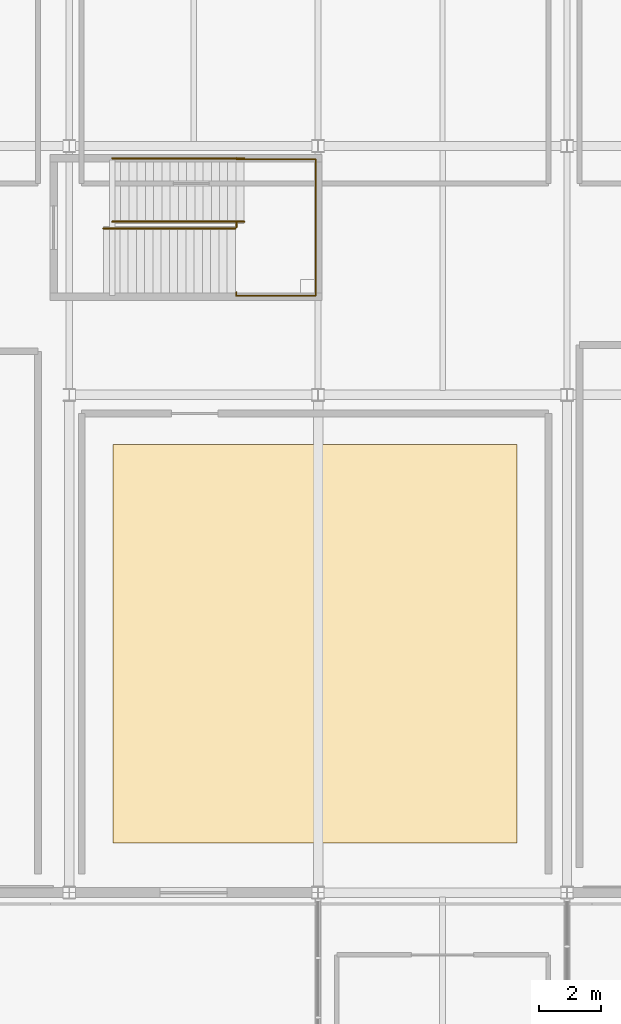
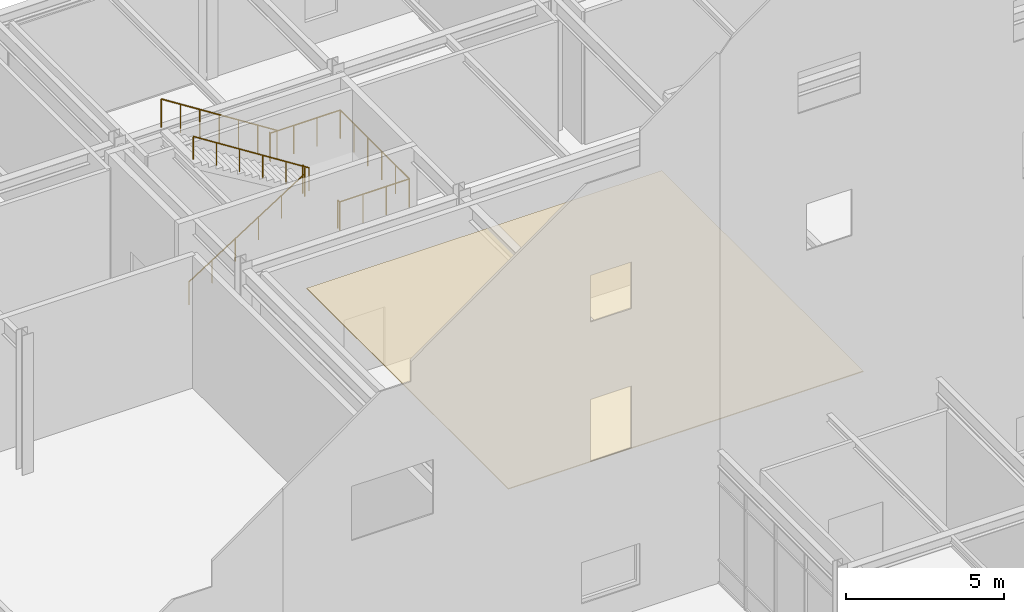
# One storey, part 112 of 119: 5 railings, 1 covering.
"""IFC4 building model written with IfcOpenShell, lengths in metres."""

from ifc_helpers import new_model, si_unit, direction, frame, origin, origin_2d, place, context, subcontext, project, spatial, rectangle, circle, extrude, material, layer, layer_set, type_object, element, save


model = new_model("IFC4")

# Units and contexts
model_context = context("Model", 3, precision=1e-05, world=origin(), true_north=direction((0.0, 1.0)))
body_context = subcontext(model_context, "Body", "Model", "MODEL_VIEW")
ifc_project = project(units=[si_unit("LENGTHUNIT", "METRE"), si_unit("AREAUNIT", "SQUARE_METRE"), si_unit("VOLUMEUNIT", "CUBIC_METRE"), si_unit("PLANEANGLEUNIT", "RADIAN"), si_unit("MASSUNIT", "GRAM", prefix="KILO")], contexts=[model_context])

# Site, building, storey
site_placement = place(None, origin())
site = spatial("IfcSite", under=ifc_project, at=site_placement, CompositionType="ELEMENT")
building_placement = place(site_placement, origin())
building = spatial("IfcBuilding", under=site, at=building_placement, Name="Zhaolan Boulevard Law Courts", CompositionType="ELEMENT")
storey_placement = place(building_placement, origin())
storey = spatial("IfcBuildingStorey", under=building, at=storey_placement, Name="L00", CompositionType="ELEMENT", Elevation=0.0)

# Covering
ifc_material_1 = material(Name="Perforated acoustic gypsum and timber-slat ceiling", Category="wood")
ifc_layer = layer(ifc_material_1, 0.034912109375)
ifc_layer_set = layer_set([ifc_layer])
covering_type = type_object("IfcCoveringType", Name="ACOUSTIC CEILING 35", PredefinedType="CEILING", material=ifc_layer_set)
covering_placement = place(storey_placement, frame((115.89990234375, 70.0, 4.71240234375), z_axis=(0.0, 0.0, 1.0), x_axis=(1.0, 0.0, 0.0)))
element("IfcCovering", 1, at=covering_placement, inside=storey, type_object=covering_type, Name="Acoustic Baffle Ceiling CLG-02", PredefinedType="CEILING", context=body_context, shape_type="SweptSolid", body=[
    extrude(rectangle(XDim=13.0, YDim=12.800048828125, at=origin_2d()), origin(), (0.0, 0.0, 1.0), 0.034912109375),
])

# Railings
ifc_material_2 = material(Name="Brushed stainless steel tubular handrail", Category="steel")
railing_type_1 = type_object("IfcRailingType", Name="STAIR HANDRAIL 900", PredefinedType="HANDRAIL", material=ifc_material_2)
railing_1_placement = place(storey_placement, frame((109.10009765625, 83.35009765625, 0.0)))
element("IfcRailing", 2, at=railing_1_placement, inside=storey, type_object=railing_type_1, Name="Stair Handrail HR-ST13-L00-1", PredefinedType="HANDRAIL", context=body_context, shape_type="SweptSolid", body=[
    extrude(circle(Radius=0.0224609375, at=origin_2d()), frame((0.0, 0.0, 0.87744140625), z_axis=(0.843501457581, 0.0, 0.537126885437), x_axis=(0.0, 1.0, 0.0)), (0.0, 0.0, 1.0), 5.026611328125),
    extrude(circle(Radius=0.01904296875, at=origin_2d()), origin(), (0.0, 0.0, 1.0), 0.85498046875),
    extrude(circle(Radius=0.01904296875, at=origin_2d()), frame((0.847900390625, 0.0, 0.5400390625)), (0.0, 0.0, 1.0), 0.85498046875),
    extrude(circle(Radius=0.01904296875, at=origin_2d()), frame((1.696044921875, 0.0, 1.080078125)), (0.0, 0.0, 1.0), 0.85498046875),
    extrude(circle(Radius=0.01904296875, at=origin_2d()), frame((2.5439453125, 0.0, 1.619873046875)), (0.0, 0.0, 1.0), 0.85498046875),
    extrude(circle(Radius=0.01904296875, at=origin_2d()), frame((3.39208984375, 0.0, 2.159912109375)), (0.0, 0.0, 1.0), 0.85498046875),
    extrude(circle(Radius=0.01904296875, at=origin_2d()), frame((4.239990234375, 0.0, 2.699951171875)), (0.0, 0.0, 1.0), 0.85498046875),
])
railing_2_placement = place(storey_placement, frame((113.625, 83.570068359375, 2.699951171875)))
element("IfcRailing", 3, at=railing_2_placement, inside=storey, type_object=railing_type_1, Name="Stair Handrail HR-ST13-L00-2", PredefinedType="HANDRAIL", context=body_context, shape_type="SweptSolid", body=[
    extrude(circle(Radius=0.0224609375, at=origin_2d()), frame((0.0, 0.0, 0.87744140625), z_axis=(-0.843501457581, 0.0, 0.537126885437), x_axis=(0.0, -1.0, 0.0)), (0.0, 0.0, 1.0), 5.026611328125),
    extrude(circle(Radius=0.01904296875, at=origin_2d()), origin(), (0.0, 0.0, 1.0), 0.85498046875),
    extrude(circle(Radius=0.01904296875, at=origin_2d()), frame((-0.847900390625, 0.0, 0.5400390625)), (0.0, 0.0, 1.0), 0.85498046875),
    extrude(circle(Radius=0.01904296875, at=origin_2d()), frame((-1.696044921875, 0.0, 1.080078125)), (0.0, 0.0, 1.0), 0.85498046875),
    extrude(circle(Radius=0.01904296875, at=origin_2d()), frame((-2.5439453125, 0.0, 1.619873046875)), (0.0, 0.0, 1.0), 0.85498046875),
    extrude(circle(Radius=0.01904296875, at=origin_2d()), frame((-3.39208984375, 0.0, 2.159912109375)), (0.0, 0.0, 1.0), 0.85498046875),
    extrude(circle(Radius=0.01904296875, at=origin_2d()), frame((-4.239990234375, 0.0, 2.699951171875)), (0.0, 0.0, 1.0), 0.85498046875),
])
ifc_material_3 = material(Name="Powder-coated steel baluster guardrail", Category="steel")
railing_type_2 = type_object("IfcRailingType", Name="STAIR WELL GUARDRAIL 1120", PredefinedType="GUARDRAIL", material=ifc_material_3)
railing_3_placement = place(storey_placement, frame((113.3701171875, 81.300048828125, 2.699951171875)))
element("IfcRailing", 4, at=railing_3_placement, inside=storey, type_object=railing_type_2, Name="Half-Landing Guardrail SG-ST13-L00-M", PredefinedType="GUARDRAIL", context=body_context, shape_type="SweptSolid", body=[
    extrude(circle(Radius=0.02392578125, at=origin_2d()), frame((0.0, 0.0, 1.09619140625), z_axis=(0.0, -1.0, 0.0), x_axis=(1.0, 0.0, 0.0)), (0.0, 0.0, 1.0), 0.1201171875),
    extrude(circle(Radius=0.02392578125, at=origin_2d()), frame((0.0, -0.1201171875, 1.09619140625), z_axis=(1.0, 0.0, 0.0), x_axis=(0.0, 1.0, 0.0)), (0.0, 0.0, 1.0), 2.5498046875),
    extrude(circle(Radius=0.02392578125, at=origin_2d()), frame((2.5498046875, -0.1201171875, 1.09619140625), z_axis=(0.0, 1.0, 0.0), x_axis=(-1.0, 0.0, 0.0)), (0.0, 0.0, 1.0), 4.39013671875),
    extrude(circle(Radius=0.02392578125, at=origin_2d()), frame((2.5498046875, 4.27001953125, 1.09619140625), z_axis=(-1.0, 0.0, 0.0), x_axis=(0.0, -1.0, 0.0)), (0.0, 0.0, 1.0), 2.5498046875),
    extrude(circle(Radius=0.02392578125, at=origin_2d()), frame((0.0, 4.27001953125, 1.09619140625), z_axis=(0.0, 1.0, 0.0), x_axis=(-1.0, 0.0, 0.0)), (0.0, 0.0, 1.0), 0.050048828125),
    extrude(circle(Radius=0.02099609375, at=origin_2d()), origin(), (0.0, 0.0, 1.0), 1.072021484375),
    extrude(circle(Radius=0.02099609375, at=origin_2d()), frame((0.0, -0.1201171875, 0.0)), (0.0, 0.0, 1.0), 1.072021484375),
    extrude(circle(Radius=0.02099609375, at=origin_2d()), frame((0.849853515625, -0.1201171875, 0.0)), (0.0, 0.0, 1.0), 1.072021484375),
    extrude(circle(Radius=0.02099609375, at=origin_2d()), frame((1.699951171875, -0.1201171875, 0.0)), (0.0, 0.0, 1.0), 1.072021484375),
    extrude(circle(Radius=0.02099609375, at=origin_2d()), frame((2.5498046875, -0.1201171875, 0.0)), (0.0, 0.0, 1.0), 1.072021484375),
    extrude(circle(Radius=0.02099609375, at=origin_2d()), frame((2.5498046875, 0.7578125, 0.0)), (0.0, 0.0, 1.0), 1.072021484375),
    extrude(circle(Radius=0.02099609375, at=origin_2d()), frame((2.5498046875, 1.635986328125, 0.0)), (0.0, 0.0, 1.0), 1.072021484375),
    extrude(circle(Radius=0.02099609375, at=origin_2d()), frame((2.5498046875, 2.513916015625, 0.0)), (0.0, 0.0, 1.0), 1.072021484375),
    extrude(circle(Radius=0.02099609375, at=origin_2d()), frame((2.5498046875, 3.39208984375, 0.0)), (0.0, 0.0, 1.0), 1.072021484375),
    extrude(circle(Radius=0.02099609375, at=origin_2d()), frame((2.5498046875, 4.27001953125, 0.0)), (0.0, 0.0, 1.0), 1.072021484375),
    extrude(circle(Radius=0.02099609375, at=origin_2d()), frame((1.699951171875, 4.27001953125, 0.0)), (0.0, 0.0, 1.0), 1.072021484375),
    extrude(circle(Radius=0.02099609375, at=origin_2d()), frame((0.849853515625, 4.27001953125, 0.0)), (0.0, 0.0, 1.0), 1.072021484375),
    extrude(circle(Radius=0.02099609375, at=origin_2d()), frame((0.0, 4.27001953125, 0.0)), (0.0, 0.0, 1.0), 1.072021484375),
    extrude(circle(Radius=0.02099609375, at=origin_2d()), frame((0.0, 4.320068359375, 0.0)), (0.0, 0.0, 1.0), 1.072021484375),
])
railing_4_placement = place(storey_placement, frame((113.3701171875, 83.389892578125, 2.699951171875)))
element("IfcRailing", 5, at=railing_4_placement, inside=storey, type_object=railing_type_2, Name="Half-Landing Well Guardrail SG-ST13-L00-W", PredefinedType="GUARDRAIL", context=body_context, shape_type="SweptSolid", body=[
    extrude(circle(Radius=0.02392578125, at=origin_2d()), frame((0.0, 0.0, 1.09619140625), z_axis=(0.0, 1.0, 0.0), x_axis=(-1.0, 0.0, 0.0)), (0.0, 0.0, 1.0), 0.14013671875),
    extrude(circle(Radius=0.02099609375, at=origin_2d()), origin(), (0.0, 0.0, 1.0), 1.072021484375),
    extrude(circle(Radius=0.02099609375, at=origin_2d()), frame((0.0, 0.14013671875, 0.0)), (0.0, 0.0, 1.0), 1.072021484375),
])
railing_5_placement = place(storey_placement, frame((113.625, 85.60009765625, 2.699951171875)))
element("IfcRailing", 6, at=railing_5_placement, inside=storey, type_object=railing_type_2, Name="Flight Guardrail SG-ST13-L00-F2", PredefinedType="GUARDRAIL", context=body_context, shape_type="SweptSolid", body=[
    extrude(circle(Radius=0.02392578125, at=origin_2d()), frame((0.0, 0.0, 1.09619140625), z_axis=(-0.843501457581, 0.0, 0.537126885437), x_axis=(0.0, -1.0, 0.0)), (0.0, 0.0, 1.0), 5.026611328125),
    extrude(circle(Radius=0.02099609375, at=origin_2d()), origin(), (0.0, 0.0, 1.0), 1.072021484375),
    extrude(circle(Radius=0.02099609375, at=origin_2d()), frame((-0.70654296875, 0.0, 0.449951171875)), (0.0, 0.0, 1.0), 1.072021484375),
    extrude(circle(Radius=0.02099609375, at=origin_2d()), frame((-1.413330078125, 0.0, 0.89990234375)), (0.0, 0.0, 1.0), 1.072021484375),
    extrude(circle(Radius=0.02099609375, at=origin_2d()), frame((-2.1201171875, 0.0, 1.35009765625)), (0.0, 0.0, 1.0), 1.072021484375),
    extrude(circle(Radius=0.02099609375, at=origin_2d()), frame((-2.82666015625, 0.0, 1.800048828125)), (0.0, 0.0, 1.0), 1.072021484375),
    extrude(circle(Radius=0.02099609375, at=origin_2d()), frame((-3.533203125, 0.0, 2.25)), (0.0, 0.0, 1.0), 1.072021484375),
    extrude(circle(Radius=0.02099609375, at=origin_2d()), frame((-4.239990234375, 0.0, 2.699951171875)), (0.0, 0.0, 1.0), 1.072021484375),
])

save(model, "model.ifc")
